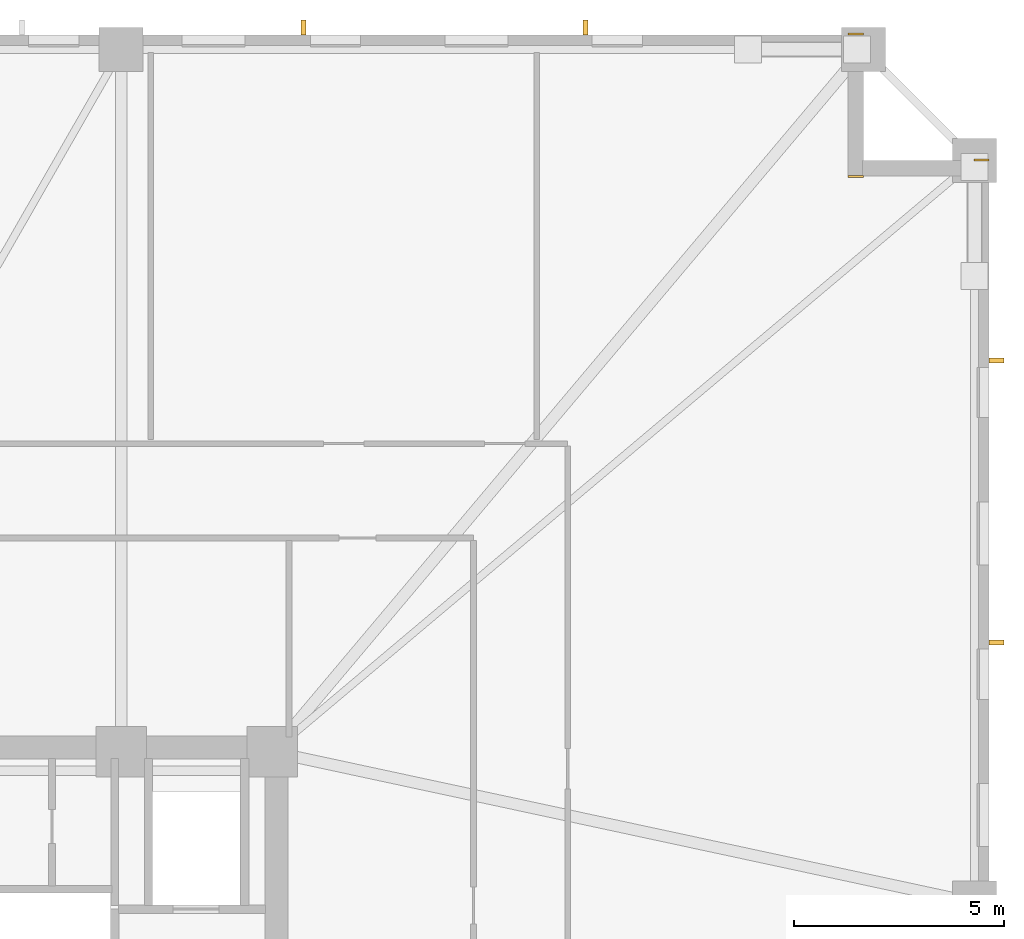
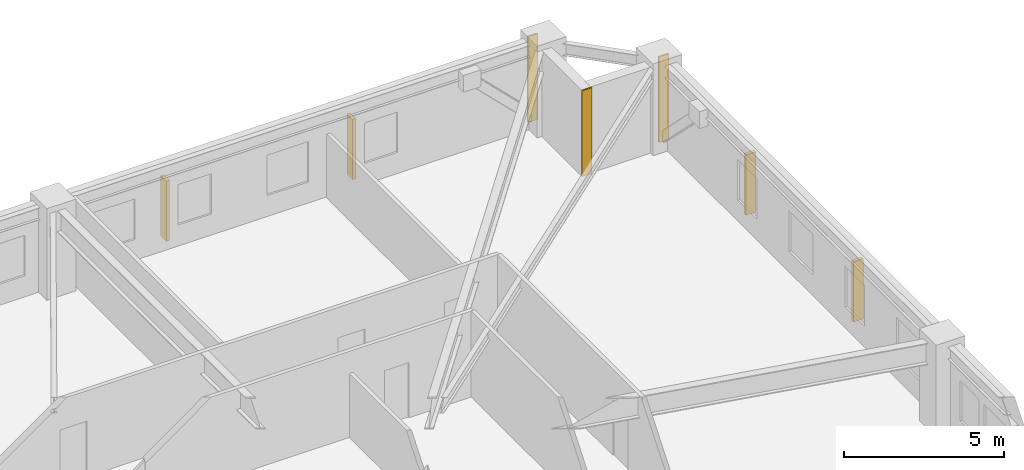
# One storey, part 11 of 11: 4 shading devices, 3 coverings.
"""IFC4 building model written with IfcOpenShell, lengths in metres."""

import ifcopenshell
import ifcopenshell.guid

model = None  # the IFC model being written
_history = None  # IfcOwnerHistory: only IFC2X3 demands one
_inside = {}  # id of a spatial element -> (the spatial element, [elements in it])
_under = {}  # id of a project, library or spatial element -> (it, [spatial elements below it])
_declared = {}  # id of a project -> (the project, [libraries it declares])
_typed = {}  # id of a type object -> (the type object, [elements of that type])
_made_of = {}  # id of a material, layer set ... -> (it, [elements and type objects made of it])


def new_model(schema):
    """Start an empty IFC model of exactly this schema.

    Asked for "IFC4X3", IfcOpenShell would pick the latest addendum, in which some entities
    have other attributes; the version numbers below select the first issue.
    IFC2X3 requires an IfcOwnerHistory on every rooted entity: one is made here for all.
    """
    global model, _history
    if schema == "IFC4X3":
        model = ifcopenshell.file(schema_version=(4, 3, 0, 0))
    else:
        model = ifcopenshell.file(schema=schema)
    _inside.clear()
    _under.clear()
    _declared.clear()
    _typed.clear()
    _made_of.clear()
    _history = None
    if model.schema == "IFC2X3":
        org = make("IfcOrganization", Name="unknown")
        user = make(
            "IfcPersonAndOrganization",
            ThePerson=make("IfcPerson", FamilyName="unknown"),
            TheOrganization=org,
        )
        app = make(
            "IfcApplication",
            ApplicationDeveloper=org,
            Version="unknown",
            ApplicationFullName="unknown",
            ApplicationIdentifier="unknown",
        )
        _history = make(
            "IfcOwnerHistory",
            OwningUser=user,
            OwningApplication=app,
            ChangeAction="ADDED",
            CreationDate=0,
        )
    return model


def make(cls, **values):
    """One entity of the class cls with the attributes given. An attribute that is None is left unset."""
    return model.create_entity(
        cls, **{name: value for name, value in values.items() if value is not None}
    )


def rooted(cls, **values):
    """An entity with a GlobalId (a new one), such as an element, a storey or a relation."""
    return make(cls, GlobalId=ifcopenshell.guid.new(), OwnerHistory=_history, **values)


def si_unit(unit_type, name, prefix=None):
    """IfcSIUnit, for example si_unit("LENGTHUNIT", "METRE", prefix="MILLI")."""
    return make("IfcSIUnit", UnitType=unit_type, Prefix=prefix, Name=name)


def assignment(units):
    """IfcUnitAssignment: the units of a project."""
    return None if units is None else make("IfcUnitAssignment", Units=units)


def point(xyz):
    """IfcCartesianPoint."""
    return None if xyz is None else make("IfcCartesianPoint", Coordinates=xyz)


def direction(xyz):
    """IfcDirection."""
    return None if xyz is None else make("IfcDirection", DirectionRatios=xyz)


def frame(location, z_axis=None, x_axis=None):
    """IfcAxis2Placement3D, a coordinate frame: its origin and axes. An axis left out is left unset."""
    return make(
        "IfcAxis2Placement3D",
        Location=point(location),
        Axis=direction(z_axis),
        RefDirection=direction(x_axis),
    )


def frame_2d(location, x_axis=None):
    """IfcAxis2Placement2D, a coordinate frame in the plane: its origin and x axis."""
    return make(
        "IfcAxis2Placement2D", Location=point(location), RefDirection=direction(x_axis)
    )


def origin():
    """The frame at (0, 0, 0) with its axes left unset."""
    return frame((0.0, 0.0, 0.0))


def origin_2d():
    """The frame at (0, 0) in the plane with its x axis left unset."""
    return frame_2d((0.0, 0.0))


def place(relative_to, where):
    """IfcLocalPlacement: puts the frame where relative to a parent placement (None: the world)."""
    return make(
        "IfcLocalPlacement", PlacementRelTo=relative_to, RelativePlacement=where
    )


def context(
    kind, dimensions, precision=None, world=None, true_north=None, identifier=None
):
    """IfcGeometricRepresentationContext, for example the 3D "Model" context."""
    return make(
        "IfcGeometricRepresentationContext",
        ContextIdentifier=identifier,
        ContextType=kind,
        CoordinateSpaceDimension=dimensions,
        Precision=precision,
        WorldCoordinateSystem=world,
        TrueNorth=true_north,
    )


def subcontext(parent, identifier, kind, view, scale=None):
    """IfcGeometricRepresentationSubContext, for example "Body" below "Model"."""
    return make(
        "IfcGeometricRepresentationSubContext",
        ContextIdentifier=identifier,
        ContextType=kind,
        ParentContext=parent,
        TargetScale=scale,
        TargetView=view,
    )


def project(units=None, contexts=None):
    """IfcProject with its units and contexts."""
    return rooted(
        "IfcProject",
        Name="project",
        RepresentationContexts=contexts,
        UnitsInContext=assignment(units),
    )


def spatial(cls, under=None, at=None, **own):
    """A site, building, storey or space (cls), placed at a placement, below another one or the project."""
    s = rooted(cls, ObjectPlacement=at, **own)
    if under is not None:
        _under.setdefault(under.id(), (under, []))[1].append(s)
    return s


def profile(cls, at=None, kind="AREA", **sizes):
    """A parametric profile (cls). Its sizes go by their IFC names, for example OverallWidth=200.0."""
    return make(cls, ProfileType=kind, Position=at, **sizes)


def rectangle(**sizes):
    """IfcRectangleProfileDef."""
    return profile("IfcRectangleProfileDef", **sizes)


def extrude(swept, where, along, depth):
    """IfcExtrudedAreaSolid: the profile swept, set in the frame where, extruded along a direction by depth."""
    return make(
        "IfcExtrudedAreaSolid",
        SweptArea=swept,
        Position=where,
        ExtrudedDirection=direction(along),
        Depth=depth,
    )


def shape(context_of_items, identifier, shape_type, items):
    """IfcShapeRepresentation: the items that make up one representation, for example the "Body"."""
    return make(
        "IfcShapeRepresentation",
        ContextOfItems=context_of_items,
        RepresentationIdentifier=identifier,
        RepresentationType=shape_type,
        Items=items,
    )


def material(Name=None, Category=None):
    """IfcMaterial."""
    return make("IfcMaterial", Name=Name, Category=Category)


def layer(
    of_material, thickness, ventilated=None, Name=None, Category=None, Priority=None
):
    """IfcMaterialLayer: one layer of a wall or slab, of a material (None: an air gap)."""
    return make(
        "IfcMaterialLayer",
        Material=of_material,
        LayerThickness=thickness,
        IsVentilated=ventilated,
        Name=Name,
        Category=Category,
        Priority=Priority,
    )


def layer_set(layers, Name=None):
    """IfcMaterialLayerSet."""
    return make("IfcMaterialLayerSet", MaterialLayers=layers, LayerSetName=Name)


def made_of(thing, what):
    """Note that an element or type object is made of a material, layer set ...; save() writes the relation."""
    if what is not None:
        _made_of.setdefault(what.id(), (what, []))[1].append(thing)
    return thing


def type_object(cls, material=None, **own):
    """A type object (cls), such as IfcWallType, which elements share."""
    return made_of(rooted(cls, **own), material)


def element(
    cls,
    number,
    at=None,
    inside=None,
    cuts=None,
    type_object=None,
    material=None,
    context=None,
    identifier="Body",
    shape_type=None,
    held_by="IfcProductDefinitionShape",
    body=None,
    shapes=None,
    **own,
):
    """One element of the class cls, such as IfcWall. Its Tag is "e" and its number.

    at: its placement. inside: the storey or other place that contains it. cuts: it is an
    opening in that element (IfcRelVoidsElement). A single representation is given by context,
    identifier, shape_type and body (its items); several are given by shapes. held_by: the class
    of the entity that holds the representations. save() writes the other relations.
    """
    e = rooted(cls, Tag="e%d" % number, ObjectPlacement=at, **own)
    if body is not None:
        shapes = [shape(context, identifier, shape_type, body)]
    if shapes is not None:
        e.Representation = make(held_by, Representations=shapes)
    if inside is not None:
        _inside.setdefault(inside.id(), (inside, []))[1].append(e)
    if cuts is not None:
        rooted(
            "IfcRelVoidsElement", RelatingBuildingElement=cuts, RelatedOpeningElement=e
        )
    if type_object is not None:
        _typed.setdefault(type_object.id(), (type_object, []))[1].append(e)
    return made_of(e, material)


def aggregate(whole, parts):
    """IfcRelAggregates: a whole, such as a stair, and the parts it consists of."""
    return rooted("IfcRelAggregates", RelatingObject=whole, RelatedObjects=parts)


def save(model, path):
    """Write the relations noted so far, then the file.

    IfcRelAggregates (storeys below a building ...), IfcRelContainedInSpatialStructure (elements
    in a storey), IfcRelDefinesByType, IfcRelAssociatesMaterial and IfcRelDeclares: one each for
    every whole, place, type object, material and project.
    """
    for whole, parts in _under.values():
        aggregate(whole, parts)
    for where, things in _inside.values():
        rooted(
            "IfcRelContainedInSpatialStructure",
            RelatedElements=things,
            RelatingStructure=where,
        )
    for kind, things in _typed.values():
        rooted("IfcRelDefinesByType", RelatedObjects=things, RelatingType=kind)
    for what, things in _made_of.values():
        rooted("IfcRelAssociatesMaterial", RelatedObjects=things, RelatingMaterial=what)
    for by, libraries in _declared.values():
        rooted("IfcRelDeclares", RelatingContext=by, RelatedDefinitions=libraries)
    model.write(path)


model = new_model("IFC4")

# Units and contexts
model_context = context("Model", 3, precision=1e-05, world=origin(), true_north=direction((0.0, 1.0)))
body_context = subcontext(model_context, "Body", "Model", "MODEL_VIEW")
ifc_project = project(units=[si_unit("LENGTHUNIT", "METRE"), si_unit("AREAUNIT", "SQUARE_METRE"), si_unit("VOLUMEUNIT", "CUBIC_METRE"), si_unit("PLANEANGLEUNIT", "RADIAN"), si_unit("MASSUNIT", "GRAM", prefix="KILO")], contexts=[model_context])

# Site, building, storey
site_placement = place(None, origin())
site = spatial("IfcSite", under=ifc_project, at=site_placement, CompositionType="ELEMENT")
building_placement = place(site_placement, origin())
building = spatial("IfcBuilding", under=site, at=building_placement, Name="Cairnveth Concourse Tower", CompositionType="ELEMENT")
storey_placement = place(building_placement, frame((0.0, 0.0, 48.0)))
storey = spatial("IfcBuildingStorey", under=building, at=storey_placement, Name="L12", CompositionType="ELEMENT", Elevation=48.0)

# Coverings
ifc_material_1 = material(Name="Dressed Melbourne Bluestone Cladding", Category="masonry")
ifc_layer = layer(ifc_material_1, 0.050048828125)
ifc_layer_set = layer_set([ifc_layer], Name="Dressed Melbourne Bluestone Cladding")
covering_type = type_object("IfcCoveringType", Name="DRESSED BLUESTONE PLINTH CLADDING 50", PredefinedType="CLADDING", material=ifc_layer_set)
for number, where, z_axis, x_axis, name in (
    (1, (74.139892578125, 64.52001953125, 0.0), (0.0, 0.0, 1.0), (1.0, 0.0, 0.0), "Melbourne Bluestone Corner Quoin L12-142"),
    (2, (74.139892578125, 61.1201171875, 0.0), (0.0, 0.0, 1.0), (1.0, 0.0, 0.0), "Melbourne Bluestone Corner Quoin L12-143"),
    (3, (77.139892578125, 61.52001953125, 0.0), (0.0, 0.0, 1.0), (1.0, 0.0, 0.0), "Melbourne Bluestone Corner Quoin L12-144"),
):
    element("IfcCovering", number, at=place(storey_placement, frame(where, z_axis=z_axis, x_axis=x_axis)), inside=storey, type_object=covering_type, Name=name, PredefinedType="CLADDING", context=body_context, shape_type="SweptSolid", body=[
        extrude(rectangle(XDim=0.360107421875, YDim=0.050048828125, at=frame_2d((0.18017578125, 0.0))), origin(), (0.0, 0.0, 1.0), 3.280029296875),
    ])

# Shading devices
ifc_material_2 = material(Name="Architectural Bronze Anodised Aluminium 6063-T6", Category="aluminium")
shading_device_type = type_object("IfcShadingDeviceType", Name="GOTHIC BRONZE VERTICAL LANCET FIN", PredefinedType="USERDEFINED", material=ifc_material_2)
for number, where, z_axis, x_axis, name in (
    (4, (61.151611328125, 64.675048828125, 0.02978515625), (0.0, 0.0, 1.0), (1.0, 0.0, 0.0), "Gothic Bronze Vertical Fin L12-6-9"),
    (5, (67.871826171875, 64.675048828125, 0.02978515625), (0.0, 0.0, 1.0), (1.0, 0.0, 0.0), "Gothic Bronze Vertical Fin L12-6-11"),
    (6, (77.675048828125, 56.72998046875, 0.02978515625), (0.0, 0.0, 1.0), (0.0, 1.0, 0.0), "Gothic Bronze Vertical Fin L12-9-1"),
    (7, (77.675048828125, 50.009521484375, 0.02978515625), (0.0, 0.0, 1.0), (0.0, 1.0, 0.0), "Gothic Bronze Vertical Fin L12-9-3"),
):
    element("IfcShadingDevice", number, at=place(storey_placement, frame(where, z_axis=z_axis, x_axis=x_axis)), inside=storey, type_object=shading_device_type, Name=name, ObjectType="VERTICAL FIN", PredefinedType="USERDEFINED", context=body_context, shape_type="SweptSolid", body=[
        extrude(rectangle(XDim=0.1201171875, YDim=0.360107421875, at=origin_2d()), origin(), (0.0, 0.0, 1.0), 2.303955078125),
    ])

save(model, "model.ifc")
